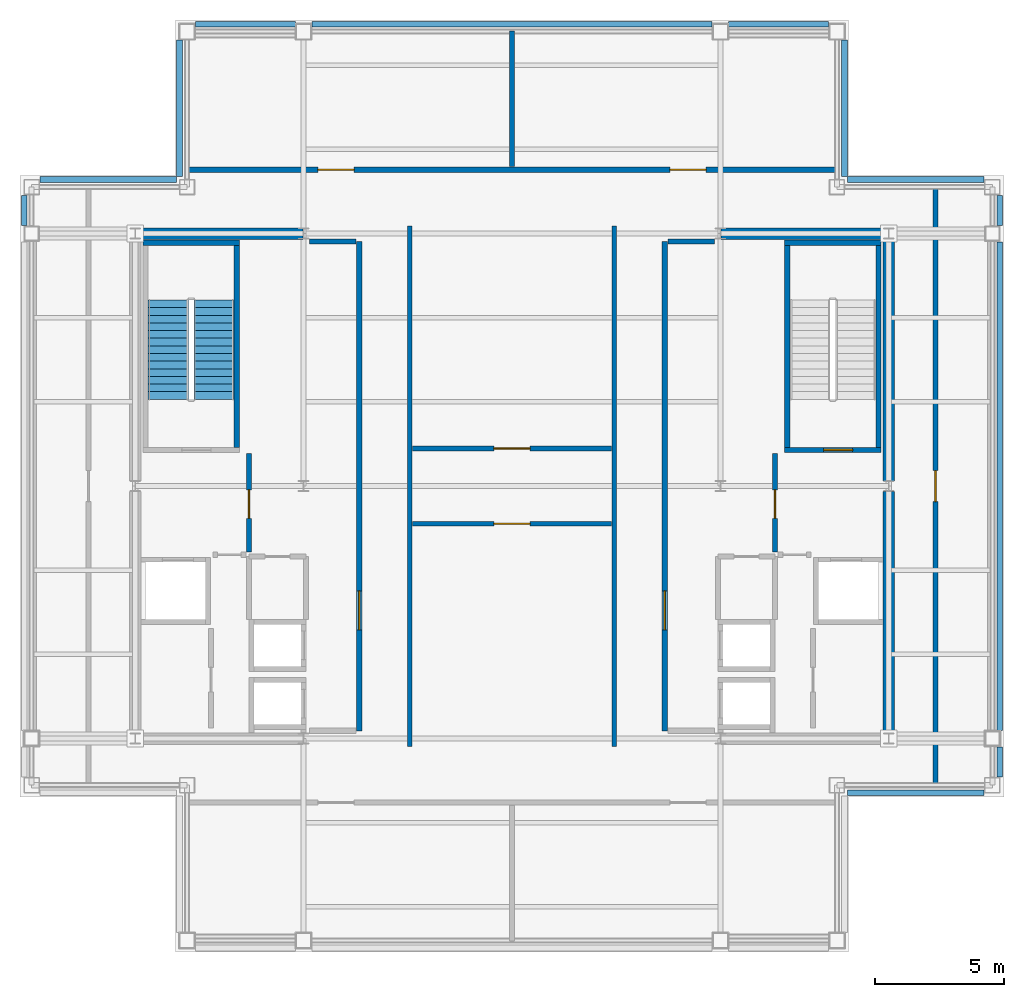
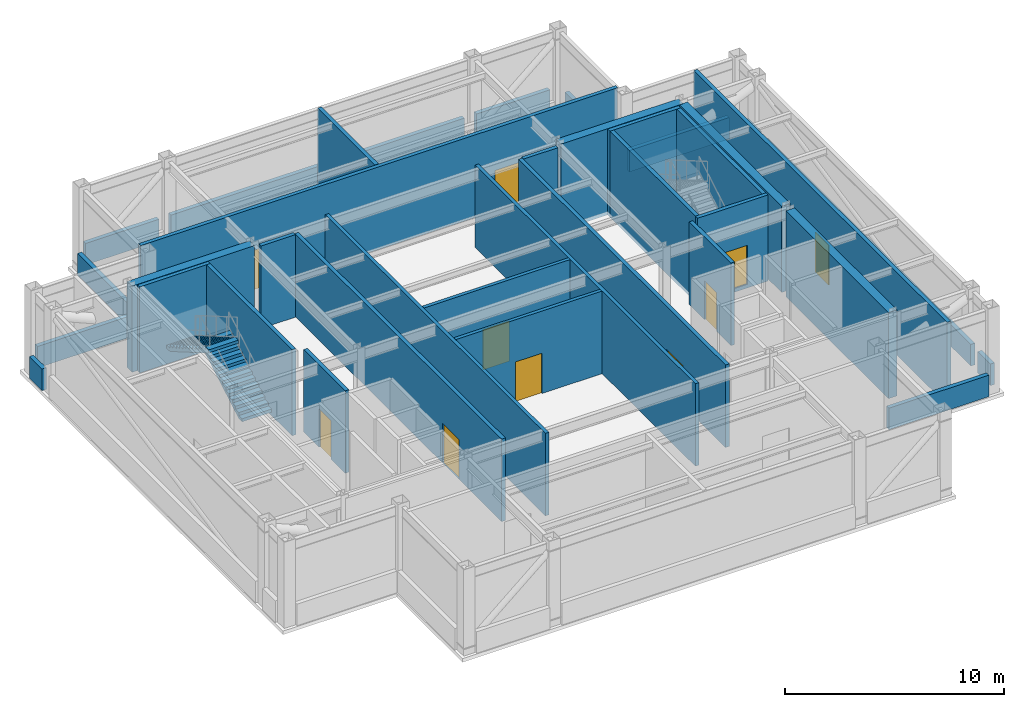
# One storey, part 4 of 6: 35 walls, 10 doors, 2 stair flights, 10 openings, 1 element without a shape of its own.
"""IFC4 building model written with IfcOpenShell, lengths in metres."""

import ifcopenshell
import ifcopenshell.guid

model = None  # the IFC model being written
_history = None  # IfcOwnerHistory: only IFC2X3 demands one
_inside = {}  # id of a spatial element -> (the spatial element, [elements in it])
_under = {}  # id of a project, library or spatial element -> (it, [spatial elements below it])
_declared = {}  # id of a project -> (the project, [libraries it declares])
_typed = {}  # id of a type object -> (the type object, [elements of that type])
_made_of = {}  # id of a material, layer set ... -> (it, [elements and type objects made of it])


def new_model(schema):
    """Start an empty IFC model of exactly this schema.

    Asked for "IFC4X3", IfcOpenShell would pick the latest addendum, in which some entities
    have other attributes; the version numbers below select the first issue.
    IFC2X3 requires an IfcOwnerHistory on every rooted entity: one is made here for all.
    """
    global model, _history
    if schema == "IFC4X3":
        model = ifcopenshell.file(schema_version=(4, 3, 0, 0))
    else:
        model = ifcopenshell.file(schema=schema)
    _inside.clear()
    _under.clear()
    _declared.clear()
    _typed.clear()
    _made_of.clear()
    _history = None
    if model.schema == "IFC2X3":
        org = make("IfcOrganization", Name="unknown")
        user = make(
            "IfcPersonAndOrganization",
            ThePerson=make("IfcPerson", FamilyName="unknown"),
            TheOrganization=org,
        )
        app = make(
            "IfcApplication",
            ApplicationDeveloper=org,
            Version="unknown",
            ApplicationFullName="unknown",
            ApplicationIdentifier="unknown",
        )
        _history = make(
            "IfcOwnerHistory",
            OwningUser=user,
            OwningApplication=app,
            ChangeAction="ADDED",
            CreationDate=0,
        )
    return model


def make(cls, **values):
    """One entity of the class cls with the attributes given. An attribute that is None is left unset."""
    return model.create_entity(
        cls, **{name: value for name, value in values.items() if value is not None}
    )


def rooted(cls, **values):
    """An entity with a GlobalId (a new one), such as an element, a storey or a relation."""
    return make(cls, GlobalId=ifcopenshell.guid.new(), OwnerHistory=_history, **values)


def si_unit(unit_type, name, prefix=None):
    """IfcSIUnit, for example si_unit("LENGTHUNIT", "METRE", prefix="MILLI")."""
    return make("IfcSIUnit", UnitType=unit_type, Prefix=prefix, Name=name)


def assignment(units):
    """IfcUnitAssignment: the units of a project."""
    return None if units is None else make("IfcUnitAssignment", Units=units)


def point(xyz):
    """IfcCartesianPoint."""
    return None if xyz is None else make("IfcCartesianPoint", Coordinates=xyz)


def direction(xyz):
    """IfcDirection."""
    return None if xyz is None else make("IfcDirection", DirectionRatios=xyz)


def frame(location, z_axis=None, x_axis=None):
    """IfcAxis2Placement3D, a coordinate frame: its origin and axes. An axis left out is left unset."""
    return make(
        "IfcAxis2Placement3D",
        Location=point(location),
        Axis=direction(z_axis),
        RefDirection=direction(x_axis),
    )


def frame_2d(location, x_axis=None):
    """IfcAxis2Placement2D, a coordinate frame in the plane: its origin and x axis."""
    return make(
        "IfcAxis2Placement2D", Location=point(location), RefDirection=direction(x_axis)
    )


def origin():
    """The frame at (0, 0, 0) with its axes left unset."""
    return frame((0.0, 0.0, 0.0))


def place(relative_to, where):
    """IfcLocalPlacement: puts the frame where relative to a parent placement (None: the world)."""
    return make(
        "IfcLocalPlacement", PlacementRelTo=relative_to, RelativePlacement=where
    )


def context(
    kind, dimensions, precision=None, world=None, true_north=None, identifier=None
):
    """IfcGeometricRepresentationContext, for example the 3D "Model" context."""
    return make(
        "IfcGeometricRepresentationContext",
        ContextIdentifier=identifier,
        ContextType=kind,
        CoordinateSpaceDimension=dimensions,
        Precision=precision,
        WorldCoordinateSystem=world,
        TrueNorth=true_north,
    )


def subcontext(parent, identifier, kind, view, scale=None):
    """IfcGeometricRepresentationSubContext, for example "Body" below "Model"."""
    return make(
        "IfcGeometricRepresentationSubContext",
        ContextIdentifier=identifier,
        ContextType=kind,
        ParentContext=parent,
        TargetScale=scale,
        TargetView=view,
    )


def project(units=None, contexts=None):
    """IfcProject with its units and contexts."""
    return rooted(
        "IfcProject",
        Name="project",
        RepresentationContexts=contexts,
        UnitsInContext=assignment(units),
    )


def spatial(cls, under=None, at=None, **own):
    """A site, building, storey or space (cls), placed at a placement, below another one or the project."""
    s = rooted(cls, ObjectPlacement=at, **own)
    if under is not None:
        _under.setdefault(under.id(), (under, []))[1].append(s)
    return s


def polyline(points):
    """IfcPolyline through the points."""
    return make("IfcPolyline", Points=[point(p) for p in points])


def profile(cls, at=None, kind="AREA", **sizes):
    """A parametric profile (cls). Its sizes go by their IFC names, for example OverallWidth=200.0."""
    return make(cls, ProfileType=kind, Position=at, **sizes)


def rectangle(**sizes):
    """IfcRectangleProfileDef."""
    return profile("IfcRectangleProfileDef", **sizes)


def outline(outer, holes=None, kind="AREA"):
    """IfcArbitraryClosedProfileDef: a profile drawn as a closed curve; with holes, ...WithVoids."""
    if holes is None:
        return make("IfcArbitraryClosedProfileDef", ProfileType=kind, OuterCurve=outer)
    return make(
        "IfcArbitraryProfileDefWithVoids",
        ProfileType=kind,
        OuterCurve=outer,
        InnerCurves=holes,
    )


def extrude(swept, where, along, depth):
    """IfcExtrudedAreaSolid: the profile swept, set in the frame where, extruded along a direction by depth."""
    return make(
        "IfcExtrudedAreaSolid",
        SweptArea=swept,
        Position=where,
        ExtrudedDirection=direction(along),
        Depth=depth,
    )


def shape(context_of_items, identifier, shape_type, items):
    """IfcShapeRepresentation: the items that make up one representation, for example the "Body"."""
    return make(
        "IfcShapeRepresentation",
        ContextOfItems=context_of_items,
        RepresentationIdentifier=identifier,
        RepresentationType=shape_type,
        Items=items,
    )


def material(Name=None, Category=None):
    """IfcMaterial."""
    return make("IfcMaterial", Name=Name, Category=Category)


def layer(
    of_material, thickness, ventilated=None, Name=None, Category=None, Priority=None
):
    """IfcMaterialLayer: one layer of a wall or slab, of a material (None: an air gap)."""
    return make(
        "IfcMaterialLayer",
        Material=of_material,
        LayerThickness=thickness,
        IsVentilated=ventilated,
        Name=Name,
        Category=Category,
        Priority=Priority,
    )


def layer_set(layers, Name=None):
    """IfcMaterialLayerSet."""
    return make("IfcMaterialLayerSet", MaterialLayers=layers, LayerSetName=Name)


def made_of(thing, what):
    """Note that an element or type object is made of a material, layer set ...; save() writes the relation."""
    if what is not None:
        _made_of.setdefault(what.id(), (what, []))[1].append(thing)
    return thing


def type_object(cls, material=None, **own):
    """A type object (cls), such as IfcWallType, which elements share."""
    return made_of(rooted(cls, **own), material)


def element(
    cls,
    number,
    at=None,
    inside=None,
    cuts=None,
    type_object=None,
    material=None,
    context=None,
    identifier="Body",
    shape_type=None,
    held_by="IfcProductDefinitionShape",
    body=None,
    shapes=None,
    **own,
):
    """One element of the class cls, such as IfcWall. Its Tag is "e" and its number.

    at: its placement. inside: the storey or other place that contains it. cuts: it is an
    opening in that element (IfcRelVoidsElement). A single representation is given by context,
    identifier, shape_type and body (its items); several are given by shapes. held_by: the class
    of the entity that holds the representations. save() writes the other relations.
    """
    e = rooted(cls, Tag="e%d" % number, ObjectPlacement=at, **own)
    if body is not None:
        shapes = [shape(context, identifier, shape_type, body)]
    if shapes is not None:
        e.Representation = make(held_by, Representations=shapes)
    if inside is not None:
        _inside.setdefault(inside.id(), (inside, []))[1].append(e)
    if cuts is not None:
        rooted(
            "IfcRelVoidsElement", RelatingBuildingElement=cuts, RelatedOpeningElement=e
        )
    if type_object is not None:
        _typed.setdefault(type_object.id(), (type_object, []))[1].append(e)
    return made_of(e, material)


def fill(opening, filler):
    """IfcRelFillsElement: the door or window that sits in an opening."""
    return rooted(
        "IfcRelFillsElement",
        RelatingOpeningElement=opening,
        RelatedBuildingElement=filler,
    )


def aggregate(whole, parts):
    """IfcRelAggregates: a whole, such as a stair, and the parts it consists of."""
    return rooted("IfcRelAggregates", RelatingObject=whole, RelatedObjects=parts)


def save(model, path):
    """Write the relations noted so far, then the file.

    IfcRelAggregates (storeys below a building ...), IfcRelContainedInSpatialStructure (elements
    in a storey), IfcRelDefinesByType, IfcRelAssociatesMaterial and IfcRelDeclares: one each for
    every whole, place, type object, material and project.
    """
    for whole, parts in _under.values():
        aggregate(whole, parts)
    for where, things in _inside.values():
        rooted(
            "IfcRelContainedInSpatialStructure",
            RelatedElements=things,
            RelatingStructure=where,
        )
    for kind, things in _typed.values():
        rooted("IfcRelDefinesByType", RelatedObjects=things, RelatingType=kind)
    for what, things in _made_of.values():
        rooted("IfcRelAssociatesMaterial", RelatedObjects=things, RelatingMaterial=what)
    for by, libraries in _declared.values():
        rooted("IfcRelDeclares", RelatingContext=by, RelatedDefinitions=libraries)
    model.write(path)


model = new_model("IFC4")

# Units and contexts
model_context = context("Model", 3, precision=1e-05, world=origin(), true_north=direction((0.0, 1.0)))
body_context = subcontext(model_context, "Body", "Model", "MODEL_VIEW")
ifc_project = project(units=[si_unit("LENGTHUNIT", "METRE"), si_unit("AREAUNIT", "SQUARE_METRE"), si_unit("VOLUMEUNIT", "CUBIC_METRE"), si_unit("PLANEANGLEUNIT", "RADIAN"), si_unit("MASSUNIT", "GRAM", prefix="KILO")], contexts=[model_context])

# Site, building, storey
site_placement = place(None, origin())
site = spatial("IfcSite", under=ifc_project, at=site_placement, CompositionType="ELEMENT")
building_placement = place(site_placement, origin())
building = spatial("IfcBuilding", under=site, at=building_placement, Name="Brelmoor Portico Tower", CompositionType="ELEMENT")
storey_placement = place(building_placement, frame((0.0, 0.0, 276.0)))
storey = spatial("IfcBuildingStorey", under=building, at=storey_placement, Name="L73", CompositionType="ELEMENT", Elevation=276.0)

# Walls
ifc_material_1 = material(Name="Concrete C50", Category="concrete")
ifc_layer_1 = layer(ifc_material_1, 0.449951171875)
ifc_layer_set_1 = layer_set([ifc_layer_1], Name="Concrete C50")
wall_type_1 = type_object("IfcWallType", Name="WL-CORE-450", PredefinedType="SHEAR", material=ifc_layer_set_1)
for number, where, z_axis, x_axis, name in (
    (1, (-14.530029296875, 9.75, -0.199951171875), (0.0, 0.0, 1.0), (1.0, 0.0, 0.0), "L73 WC North Shear Wall"),
    (2, (8.070068359375, 9.75, -0.199951171875), (0.0, 0.0, 1.0), (1.0, 0.0, 0.0), "L73 EC North Shear Wall"),
):
    element("IfcWall", number, at=place(storey_placement, frame(where, z_axis=z_axis, x_axis=x_axis)), inside=storey, type_object=wall_type_1, Name=name, PredefinedType="SHEAR", context=body_context, shape_type="SweptSolid", body=[
        extrude(rectangle(XDim=6.4599609375, YDim=0.449951171875, at=frame_2d((3.22998046875, 0.0))), origin(), (0.0, 0.0, 1.0), 4.800048828125),
    ])
for number, where, z_axis, x_axis, name in (
    (3, (14.550048828125, -9.550048828125, -0.199951171875), (0.0, 0.0, 1.0), (0.0, 1.0, 0.0), "L73 EC Outer South Shear Wall"),
    (4, (14.550048828125, 0.199951171875, -0.199951171875), (0.0, 0.0, 1.0), (0.0, 1.0, 0.0), "L73 EC Outer North Shear Wall"),
):
    element("IfcWall", number, at=place(storey_placement, frame(where, z_axis=z_axis, x_axis=x_axis)), inside=storey, type_object=wall_type_1, Name=name, PredefinedType="SHEAR", context=body_context, shape_type="SweptSolid", body=[
        extrude(rectangle(XDim=9.35009765625, YDim=0.449951171875, at=frame_2d((4.675048828125, 0.0))), origin(), (0.0, 0.0, 1.0), 4.800048828125),
    ])
ifc_material_2 = material(Name="Concrete C40 Parapet Upstand", Category="concrete")
ifc_layer_2 = layer(ifc_material_2, 0.219970703125)
ifc_layer_set_2 = layer_set([ifc_layer_2], Name="Concrete C40 Parapet Upstand")
wall_type_2 = type_object("IfcWallType", Name="WL-PARAPET-220", PredefinedType="PARAPET", material=ifc_layer_set_2)
wall_1_placement = place(storey_placement, frame((12.9599609375, -11.840087890625, 0.0), z_axis=(0.0, 0.0, 1.0), x_axis=(1.0, 0.0, 0.0)))
element("IfcWall", 5, at=wall_1_placement, inside=storey, type_object=wall_type_2, Name="L73 Plant Louvre Perimeter Upstand 05", PredefinedType="PARAPET", context=body_context, shape_type="SweptSolid", body=[
    extrude(rectangle(XDim=5.27001953125, YDim=0.219970703125, at=frame_2d((2.635009765625, 0.0))), origin(), (0.0, 0.0, 1.0), 1.199951171875),
])
wall_2_placement = place(storey_placement, frame((18.840087890625, -11.22998046875, 0.0), z_axis=(0.0, 0.0, 1.0), x_axis=(0.0, 1.0, 0.0)))
element("IfcWall", 6, at=wall_2_placement, inside=storey, type_object=wall_type_2, Name="L73 Plant Louvre Perimeter Upstand 06", PredefinedType="PARAPET", context=body_context, shape_type="SweptSolid", body=[
    extrude(rectangle(XDim=1.159912109375, YDim=0.219970703125, at=frame_2d((0.580078125, 0.0))), origin(), (0.0, 0.0, 1.0), 1.199951171875),
])
wall_3_placement = place(storey_placement, frame((18.840087890625, -9.429931640625, 0.0), z_axis=(0.0, 0.0, 1.0), x_axis=(0.0, 1.0, 0.0)))
element("IfcWall", 7, at=wall_3_placement, inside=storey, type_object=wall_type_2, Name="L73 Plant Louvre Perimeter Upstand 07", PredefinedType="PARAPET", context=body_context, shape_type="SweptSolid", body=[
    extrude(rectangle(XDim=18.85986328125, YDim=0.219970703125, at=frame_2d((9.429931640625, 0.0))), origin(), (0.0, 0.0, 1.0), 1.199951171875),
])
wall_4_placement = place(storey_placement, frame((18.840087890625, 10.070068359375, 0.0), z_axis=(0.0, 0.0, 1.0), x_axis=(0.0, 1.0, 0.0)))
element("IfcWall", 8, at=wall_4_placement, inside=storey, type_object=wall_type_2, Name="L73 Plant Louvre Perimeter Upstand 08", PredefinedType="PARAPET", context=body_context, shape_type="SweptSolid", body=[
    extrude(rectangle(XDim=1.159912109375, YDim=0.219970703125, at=frame_2d((0.580078125, 0.0))), origin(), (0.0, 0.0, 1.0), 1.199951171875),
])
for number, where, z_axis, x_axis, name in (
    (9, (18.22998046875, 11.840087890625, 0.0), (0.0, 0.0, 1.0), (-1.0, 0.0, 0.0), "L73 Plant Louvre Perimeter Upstand 09"),
    (10, (12.840087890625, 11.9599609375, 0.0), (0.0, 0.0, 1.0), (0.0, 1.0, 0.0), "L73 Plant Louvre Perimeter Upstand 10"),
):
    element("IfcWall", number, at=place(storey_placement, frame(where, z_axis=z_axis, x_axis=x_axis)), inside=storey, type_object=wall_type_2, Name=name, PredefinedType="PARAPET", context=body_context, shape_type="SweptSolid", body=[
        extrude(rectangle(XDim=5.27001953125, YDim=0.219970703125, at=frame_2d((2.635009765625, 0.0))), origin(), (0.0, 0.0, 1.0), 1.199951171875),
    ])
wall_5_placement = place(storey_placement, frame((12.22998046875, 17.840087890625, 0.0), z_axis=(0.0, 0.0, 1.0), x_axis=(-1.0, 0.0, 0.0)))
element("IfcWall", 11, at=wall_5_placement, inside=storey, type_object=wall_type_2, Name="L73 Plant Louvre Perimeter Upstand 11", PredefinedType="PARAPET", context=body_context, shape_type="SweptSolid", body=[
    extrude(rectangle(XDim=3.85986328125, YDim=0.219970703125, at=frame_2d((1.929931640625, 0.0))), origin(), (0.0, 0.0, 1.0), 1.199951171875),
])
wall_6_placement = place(storey_placement, frame((7.72998046875, 17.840087890625, 0.0), z_axis=(0.0, 0.0, 1.0), x_axis=(-1.0, 0.0, 0.0)))
element("IfcWall", 12, at=wall_6_placement, inside=storey, type_object=wall_type_2, Name="L73 Plant Louvre Perimeter Upstand 12", PredefinedType="PARAPET", context=body_context, shape_type="SweptSolid", body=[
    extrude(rectangle(XDim=15.4599609375, YDim=0.219970703125, at=frame_2d((7.72998046875, 0.0))), origin(), (0.0, 0.0, 1.0), 1.199951171875),
])
wall_7_placement = place(storey_placement, frame((-8.3701171875, 17.840087890625, 0.0), z_axis=(0.0, 0.0, 1.0), x_axis=(-1.0, 0.0, 0.0)))
element("IfcWall", 13, at=wall_7_placement, inside=storey, type_object=wall_type_2, Name="L73 Plant Louvre Perimeter Upstand 13", PredefinedType="PARAPET", context=body_context, shape_type="SweptSolid", body=[
    extrude(rectangle(XDim=3.85986328125, YDim=0.219970703125, at=frame_2d((1.929931640625, 0.0))), origin(), (0.0, 0.0, 1.0), 1.199951171875),
])
for number, where, z_axis, x_axis, name in (
    (14, (-12.840087890625, 17.22998046875, 0.0), (0.0, 0.0, 1.0), (0.0, -1.0, 0.0), "L73 Plant Louvre Perimeter Upstand 14"),
    (15, (-12.9599609375, 11.840087890625, 0.0), (0.0, 0.0, 1.0), (-1.0, 0.0, 0.0), "L73 Plant Louvre Perimeter Upstand 15"),
):
    element("IfcWall", number, at=place(storey_placement, frame(where, z_axis=z_axis, x_axis=x_axis)), inside=storey, type_object=wall_type_2, Name=name, PredefinedType="PARAPET", context=body_context, shape_type="SweptSolid", body=[
        extrude(rectangle(XDim=5.27001953125, YDim=0.219970703125, at=frame_2d((2.635009765625, 0.0))), origin(), (0.0, 0.0, 1.0), 1.199951171875),
    ])
wall_8_placement = place(storey_placement, frame((-18.840087890625, 11.22998046875, 0.0), z_axis=(0.0, 0.0, 1.0), x_axis=(0.0, -1.0, 0.0)))
element("IfcWall", 16, at=wall_8_placement, inside=storey, type_object=wall_type_2, Name="L73 Plant Louvre Perimeter Upstand 16", PredefinedType="PARAPET", context=body_context, shape_type="SweptSolid", body=[
    extrude(rectangle(XDim=1.159912109375, YDim=0.219970703125, at=frame_2d((0.580078125, 0.0))), origin(), (0.0, 0.0, 1.0), 1.199951171875),
])
ifc_material_3 = material(Name="Acoustic Corridor Fire Partition", Category="gypsum")
ifc_layer_3 = layer(ifc_material_3, 0.179931640625)
ifc_layer_set_3 = layer_set([ifc_layer_3], Name="Acoustic Corridor Fire Partition")
wall_type_3 = type_object("IfcWallType", Name="WL-PART-180", PredefinedType="PARTITIONING", material=ifc_layer_set_3)
for number, where, z_axis, x_axis, name in (
    (17, (-3.949951171875, -10.050048828125, 0.0), (0.0, 0.0, 1.0), (0.0, 1.0, 0.0), "L73 Central Plant West Wall"),
    (18, (3.949951171875, -10.050048828125, 0.0), (0.0, 0.0, 1.0), (0.0, 1.0, 0.0), "L73 Central Plant East Wall"),
):
    element("IfcWall", number, at=place(storey_placement, frame(where, z_axis=z_axis, x_axis=x_axis)), inside=storey, type_object=wall_type_3, Name=name, PredefinedType="PARTITIONING", context=body_context, shape_type="SweptSolid", body=[
        extrude(rectangle(XDim=20.10009765625, YDim=0.179931640625, at=frame_2d((10.050048828125, 0.0))), origin(), (0.0, 0.0, 1.0), 4.60009765625),
    ])

# Wall, opening, door
wall_9_placement = place(storey_placement, frame((-3.85009765625, 1.449951171875, 0.0), z_axis=(0.0, 0.0, 1.0), x_axis=(1.0, 0.0, 0.0)))
wall_9 = element("IfcWall", 19, at=wall_9_placement, inside=storey, type_object=wall_type_3, Name="L73 Central Heat-Exchanger Wall", PredefinedType="PARTITIONING", context=body_context, shape_type="SweptSolid", body=[
    extrude(rectangle(XDim=7.7001953125, YDim=0.179931640625, at=frame_2d((3.85009765625, 0.0))), origin(), (0.0, 0.0, 1.0), 4.60009765625),
])
opening_1_placement = place(wall_9_placement, frame((3.14990234375, 0.0, 0.0)))
opening_1 = element("IfcOpeningElement", 20, at=opening_1_placement, cuts=wall_9, Name="Opening D-PL1", PredefinedType="OPENING", context=body_context, shape_type="SweptSolid", body=[
    extrude(rectangle(XDim=1.39990234375, YDim=2.25, at=frame_2d((0.699951171875, 1.125))), frame((0.0, 0.099853515625, 0.0), z_axis=(0.0, -1.0, 0.0), x_axis=(1.0, 0.0, 0.0)), (0.0, 0.0, 1.0), 0.199951171875),
])
ifc_material_4 = material(Name="Double-Leaf Acoustic Steel Plant Door", Category="steel")
door_type_1 = type_object("IfcDoorType", Name="DR-PLANT-1400", OperationType="NOTDEFINED", PredefinedType="DOOR", material=ifc_material_4)
door_1_placement = place(opening_1_placement, origin())
door_1 = element("IfcDoor", 21, at=door_1_placement, inside=storey, type_object=door_type_1, Name="D-2987 L73 Heat-Exchanger Room Door", OperationType="DOUBLE_DOOR_SINGLE_SWING", OverallHeight=2.25, OverallWidth=1.39990234375, PredefinedType="DOOR", context=body_context, shape_type="SweptSolid", body=[
    extrude(rectangle(XDim=1.39990234375, YDim=2.25, at=frame_2d((0.699951171875, 1.125))), frame((0.0, 0.02490234375, 0.0), z_axis=(0.0, -1.0, 0.0), x_axis=(1.0, 0.0, 0.0)), (0.0, 0.0, 1.0), 0.050048828125),
])
fill(opening_1, door_1)

wall_10_placement = place(storey_placement, frame((-3.85009765625, -1.449951171875, 0.0), z_axis=(0.0, 0.0, 1.0), x_axis=(1.0, 0.0, 0.0)))
wall_10 = element("IfcWall", 22, at=wall_10_placement, inside=storey, type_object=wall_type_3, Name="L73 Central Pump Room Wall", PredefinedType="PARTITIONING", context=body_context, shape_type="SweptSolid", body=[
    extrude(rectangle(XDim=7.7001953125, YDim=0.179931640625, at=frame_2d((3.85009765625, 0.0))), origin(), (0.0, 0.0, 1.0), 4.60009765625),
])
opening_2_placement = place(wall_10_placement, frame((3.14990234375, 0.0, 0.0)))
opening_2 = element("IfcOpeningElement", 23, at=opening_2_placement, cuts=wall_10, Name="Opening D-PL1", PredefinedType="OPENING", context=body_context, shape_type="SweptSolid", body=[
    extrude(rectangle(XDim=1.39990234375, YDim=2.25, at=frame_2d((0.699951171875, 1.125))), frame((0.0, 0.099853515625, 0.0), z_axis=(0.0, -1.0, 0.0), x_axis=(1.0, 0.0, 0.0)), (0.0, 0.0, 1.0), 0.199951171875),
])
door_2_placement = place(opening_2_placement, origin())
door_2 = element("IfcDoor", 24, at=door_2_placement, inside=storey, type_object=door_type_1, Name="D-2988 L73 Transfer Pump Room Door", OperationType="DOUBLE_DOOR_SINGLE_SWING", OverallHeight=2.25, OverallWidth=1.39990234375, PredefinedType="DOOR", context=body_context, shape_type="SweptSolid", body=[
    extrude(rectangle(XDim=1.39990234375, YDim=2.25, at=frame_2d((0.699951171875, 1.125))), frame((0.0, 0.02490234375, 0.0), z_axis=(0.0, -1.0, 0.0), x_axis=(1.0, 0.0, 0.0)), (0.0, 0.0, 1.0), 0.050048828125),
])
fill(opening_2, door_2)

ifc_material_5 = material(Name="Double-Stud Gypsum Fire Partition", Category="gypsum")
ifc_layer_4 = layer(ifc_material_5, 0.199951171875)
ifc_layer_set_4 = layer_set([ifc_layer_4], Name="Double-Stud Gypsum Fire Partition")
wall_type_4 = type_object("IfcWallType", Name="WL-PART-200", PredefinedType="PARTITIONING", material=ifc_layer_set_4)
wall_11_placement = place(storey_placement, frame((-5.89990234375, -9.449951171875, 0.0), z_axis=(0.0, 0.0, 1.0), x_axis=(0.0, 1.0, 0.0)))
wall_11 = element("IfcWall", 25, at=wall_11_placement, inside=storey, type_object=wall_type_4, Name="L73 W Core Lobby Compartment Wall", PredefinedType="PARTITIONING", context=body_context, shape_type="SweptSolid", body=[
    extrude(rectangle(XDim=18.89990234375, YDim=0.199951171875, at=frame_2d((9.449951171875, 0.0))), origin(), (0.0, 0.0, 1.0), 4.60009765625),
])
opening_3_placement = place(wall_11_placement, frame((3.89990234375, 0.0, 0.0)))
opening_3 = element("IfcOpeningElement", 26, at=opening_3_placement, cuts=wall_11, Name="Opening D-LB1", PredefinedType="OPENING", context=body_context, shape_type="SweptSolid", body=[
    extrude(rectangle(XDim=1.5, YDim=2.199951171875, at=frame_2d((0.75, 1.10009765625))), frame((0.0, 0.10986328125, 0.0), z_axis=(0.0, -1.0, 0.0), x_axis=(1.0, 0.0, 0.0)), (0.0, 0.0, 1.0), 0.219970703125),
])
ifc_material_6 = material(Name="Double-Leaf Glazed Steel Fire Door", Category="steel")
door_type_2 = type_object("IfcDoorType", Name="DR-LOBBY-1500", OperationType="NOTDEFINED", PredefinedType="DOOR", material=ifc_material_6)
door_3_placement = place(opening_3_placement, origin())
door_3 = element("IfcDoor", 27, at=door_3_placement, inside=storey, type_object=door_type_2, Name="D-2986 L73 W Lift Lobby Main Door", OperationType="DOUBLE_DOOR_SINGLE_SWING", OverallHeight=2.199951171875, OverallWidth=1.5, PredefinedType="DOOR", context=body_context, shape_type="SweptSolid", body=[
    extrude(rectangle(XDim=1.5, YDim=2.199951171875, at=frame_2d((0.75, 1.10009765625))), frame((0.0, 0.02490234375, 0.0), z_axis=(0.0, -1.0, 0.0), x_axis=(1.0, 0.0, 0.0)), (0.0, 0.0, 1.0), 0.050048828125),
])
fill(opening_3, door_3)

# Wall
wall_12_placement = place(storey_placement, frame((-6.02001953125, 9.449951171875, 0.0), z_axis=(0.0, 0.0, 1.0), x_axis=(-1.0, 0.0, 0.0)))
element("IfcWall", 28, at=wall_12_placement, inside=storey, type_object=wall_type_4, Name="L73 W Lift Lobby North End Wall", PredefinedType="PARTITIONING", context=body_context, shape_type="SweptSolid", body=[
    extrude(rectangle(XDim=1.800048828125, YDim=0.199951171875, at=frame_2d((0.89990234375, 0.0))), origin(), (0.0, 0.0, 1.0), 4.60009765625),
])

# Wall, opening, door
wall_13_placement = place(storey_placement, frame((-10.159912109375, -2.550048828125, 0.0), z_axis=(0.0, 0.0, 1.0), x_axis=(0.0, 1.0, 0.0)))
wall_13 = element("IfcWall", 29, at=wall_13_placement, inside=storey, type_object=wall_type_4, Name="L73 W Firefighting Lobby Wall", PredefinedType="PARTITIONING", context=body_context, shape_type="SweptSolid", body=[
    extrude(rectangle(XDim=3.800048828125, YDim=0.199951171875, at=frame_2d((1.89990234375, 0.0))), origin(), (0.0, 0.0, 1.0), 4.60009765625),
])
opening_4_placement = place(wall_13_placement, frame((1.300048828125, 0.0, 0.0)))
opening_4 = element("IfcOpeningElement", 30, at=opening_4_placement, cuts=wall_13, Name="Opening D-FR1", PredefinedType="OPENING", context=body_context, shape_type="SweptSolid", body=[
    extrude(rectangle(XDim=1.10009765625, YDim=2.14990234375, at=frame_2d((0.550048828125, 1.074951171875))), frame((0.0, 0.10986328125, 0.0), z_axis=(0.0, -1.0, 0.0), x_axis=(1.0, 0.0, 0.0)), (0.0, 0.0, 1.0), 0.219970703125),
])
ifc_material_7 = material(Name="Painted Galvanised Steel Fire Door", Category="steel")
door_type_3 = type_object("IfcDoorType", Name="DR-FIRE-1100", OperationType="NOTDEFINED", PredefinedType="DOOR", material=ifc_material_7)
door_4_placement = place(opening_4_placement, origin())
door_4 = element("IfcDoor", 31, at=door_4_placement, inside=storey, type_object=door_type_3, Name="D-2984 L73 W Firefighting Lobby Door", OperationType="SINGLE_SWING_RIGHT", OverallHeight=2.14990234375, OverallWidth=1.10009765625, PredefinedType="DOOR", context=body_context, shape_type="SweptSolid", body=[
    extrude(rectangle(XDim=1.10009765625, YDim=2.14990234375, at=frame_2d((0.550048828125, 1.074951171875))), frame((0.0, 0.02490234375, 0.0), z_axis=(0.0, -1.0, 0.0), x_axis=(1.0, 0.0, 0.0)), (0.0, 0.0, 1.0), 0.050048828125),
])
fill(opening_4, door_4)

wall_14_placement = place(storey_placement, frame((5.89990234375, -9.449951171875, 0.0), z_axis=(0.0, 0.0, 1.0), x_axis=(0.0, 1.0, 0.0)))
wall_14 = element("IfcWall", 32, at=wall_14_placement, inside=storey, type_object=wall_type_4, Name="L73 E Core Lobby Compartment Wall", PredefinedType="PARTITIONING", context=body_context, shape_type="SweptSolid", body=[
    extrude(rectangle(XDim=18.89990234375, YDim=0.199951171875, at=frame_2d((9.449951171875, 0.0))), origin(), (0.0, 0.0, 1.0), 4.60009765625),
])
opening_5_placement = place(wall_14_placement, frame((3.89990234375, 0.0, 0.0)))
opening_5 = element("IfcOpeningElement", 33, at=opening_5_placement, cuts=wall_14, Name="Opening D-LB1", PredefinedType="OPENING", context=body_context, shape_type="SweptSolid", body=[
    extrude(rectangle(XDim=1.5, YDim=2.199951171875, at=frame_2d((0.75, 1.10009765625))), frame((0.0, 0.10986328125, 0.0), z_axis=(0.0, -1.0, 0.0), x_axis=(1.0, 0.0, 0.0)), (0.0, 0.0, 1.0), 0.219970703125),
])
door_5_placement = place(opening_5_placement, origin())
door_5 = element("IfcDoor", 34, at=door_5_placement, inside=storey, type_object=door_type_2, Name="D-2985 L73 E Lift Lobby Main Door", OperationType="DOUBLE_DOOR_SINGLE_SWING", OverallHeight=2.199951171875, OverallWidth=1.5, PredefinedType="DOOR", context=body_context, shape_type="SweptSolid", body=[
    extrude(rectangle(XDim=1.5, YDim=2.199951171875, at=frame_2d((0.75, 1.10009765625))), frame((0.0, 0.02490234375, 0.0), z_axis=(0.0, -1.0, 0.0), x_axis=(1.0, 0.0, 0.0)), (0.0, 0.0, 1.0), 0.050048828125),
])
fill(opening_5, door_5)

# Wall
wall_15_placement = place(storey_placement, frame((6.02001953125, 9.449951171875, 0.0), z_axis=(0.0, 0.0, 1.0), x_axis=(1.0, 0.0, 0.0)))
element("IfcWall", 35, at=wall_15_placement, inside=storey, type_object=wall_type_4, Name="L73 E Lift Lobby North End Wall", PredefinedType="PARTITIONING", context=body_context, shape_type="SweptSolid", body=[
    extrude(rectangle(XDim=1.800048828125, YDim=0.199951171875, at=frame_2d((0.89990234375, 0.0))), origin(), (0.0, 0.0, 1.0), 4.60009765625),
])

# Wall, opening, door
wall_16_placement = place(storey_placement, frame((10.159912109375, -2.550048828125, 0.0), z_axis=(0.0, 0.0, 1.0), x_axis=(0.0, 1.0, 0.0)))
wall_16 = element("IfcWall", 36, at=wall_16_placement, inside=storey, type_object=wall_type_4, Name="L73 E Firefighting Lobby Wall", PredefinedType="PARTITIONING", context=body_context, shape_type="SweptSolid", body=[
    extrude(rectangle(XDim=3.800048828125, YDim=0.199951171875, at=frame_2d((1.89990234375, 0.0))), origin(), (0.0, 0.0, 1.0), 4.60009765625),
])
opening_6_placement = place(wall_16_placement, frame((1.300048828125, 0.0, 0.0)))
opening_6 = element("IfcOpeningElement", 37, at=opening_6_placement, cuts=wall_16, Name="Opening D-FR1", PredefinedType="OPENING", context=body_context, shape_type="SweptSolid", body=[
    extrude(rectangle(XDim=1.10009765625, YDim=2.14990234375, at=frame_2d((0.550048828125, 1.074951171875))), frame((0.0, 0.10986328125, 0.0), z_axis=(0.0, -1.0, 0.0), x_axis=(1.0, 0.0, 0.0)), (0.0, 0.0, 1.0), 0.219970703125),
])
door_6_placement = place(opening_6_placement, origin())
door_6 = element("IfcDoor", 38, at=door_6_placement, inside=storey, type_object=door_type_3, Name="D-2983 L73 E Firefighting Lobby Door", OperationType="SINGLE_SWING_RIGHT", OverallHeight=2.14990234375, OverallWidth=1.10009765625, PredefinedType="DOOR", context=body_context, shape_type="SweptSolid", body=[
    extrude(rectangle(XDim=1.10009765625, YDim=2.14990234375, at=frame_2d((0.550048828125, 1.074951171875))), frame((0.0, 0.02490234375, 0.0), z_axis=(0.0, -1.0, 0.0), x_axis=(1.0, 0.0, 0.0)), (0.0, 0.0, 1.0), 0.050048828125),
])
fill(opening_6, door_6)

wall_17_placement = place(storey_placement, frame((16.35009765625, -11.570068359375, 0.0), z_axis=(0.0, 0.0, 1.0), x_axis=(0.0, 1.0, 0.0)))
wall_17 = element("IfcWall", 39, at=wall_17_placement, inside=storey, type_object=wall_type_4, Name="L73 Pressurised Refuge Area East Fire Wall", PredefinedType="PARTITIONING", context=body_context, shape_type="SweptSolid", body=[
    extrude(rectangle(XDim=23.14013671875, YDim=0.199951171875, at=frame_2d((11.570068359375, 0.0))), origin(), (0.0, 0.0, 1.0), 4.60009765625),
])
opening_7_placement = place(wall_17_placement, frame((10.969970703125, 0.0, 0.0)))
opening_7 = element("IfcOpeningElement", 40, at=opening_7_placement, cuts=wall_17, Name="Opening D-FR3", PredefinedType="OPENING", context=body_context, shape_type="SweptSolid", body=[
    extrude(rectangle(XDim=1.199951171875, YDim=2.219970703125, at=frame_2d((0.60009765625, 1.10986328125))), frame((0.0, 0.10986328125, 0.0), z_axis=(0.0, -1.0, 0.0), x_axis=(1.0, 0.0, 0.0)), (0.0, 0.0, 1.0), 0.219970703125),
])
door_type_4 = type_object("IfcDoorType", Name="DR-FIRE-1200", OperationType="NOTDEFINED", PredefinedType="DOOR", material=ifc_material_7)
door_7_placement = place(opening_7_placement, origin())
door_7 = element("IfcDoor", 41, at=door_7_placement, inside=storey, type_object=door_type_4, Name="D-2993 L73 Pressurised Refuge Area East Door", OperationType="SINGLE_SWING_LEFT", OverallHeight=2.219970703125, OverallWidth=1.199951171875, PredefinedType="DOOR", context=body_context, shape_type="SweptSolid", body=[
    extrude(rectangle(XDim=1.199951171875, YDim=2.219970703125, at=frame_2d((0.60009765625, 1.10986328125))), frame((0.0, 0.02490234375, 0.0), z_axis=(0.0, -1.0, 0.0), x_axis=(1.0, 0.0, 0.0)), (0.0, 0.0, 1.0), 0.050048828125),
])
fill(opening_7, door_7)

# Wall, openings, doors
wall_18_placement = place(storey_placement, frame((-12.570068359375, 12.219970703125, 0.0), z_axis=(0.0, 0.0, 1.0), x_axis=(1.0, 0.0, 0.0)))
wall_18 = element("IfcWall", 42, at=wall_18_placement, inside=storey, type_object=wall_type_4, Name="L73 North Plant Wall", PredefinedType="PARTITIONING", context=body_context, shape_type="SweptSolid", body=[
    extrude(rectangle(XDim=25.14013671875, YDim=0.199951171875, at=frame_2d((12.570068359375, 0.0))), origin(), (0.0, 0.0, 1.0), 4.60009765625),
])
opening_8_placement = place(wall_18_placement, frame((5.070068359375, 0.0, 0.0)))
opening_8 = element("IfcOpeningElement", 43, at=opening_8_placement, cuts=wall_18, Name="Opening D-PL1", PredefinedType="OPENING", context=body_context, shape_type="SweptSolid", body=[
    extrude(rectangle(XDim=1.39990234375, YDim=2.25, at=frame_2d((0.699951171875, 1.125))), frame((0.0, 0.10986328125, 0.0), z_axis=(0.0, -1.0, 0.0), x_axis=(1.0, 0.0, 0.0)), (0.0, 0.0, 1.0), 0.219970703125),
])
opening_9_placement = place(wall_18_placement, frame((18.669921875, 0.0, 0.0)))
opening_9 = element("IfcOpeningElement", 44, at=opening_9_placement, cuts=wall_18, Name="Opening D-PL1", PredefinedType="OPENING", context=body_context, shape_type="SweptSolid", body=[
    extrude(rectangle(XDim=1.39990234375, YDim=2.25, at=frame_2d((0.699951171875, 1.125))), frame((0.0, 0.10986328125, 0.0), z_axis=(0.0, -1.0, 0.0), x_axis=(1.0, 0.0, 0.0)), (0.0, 0.0, 1.0), 0.219970703125),
])
door_8_placement = place(opening_8_placement, origin())
door_8 = element("IfcDoor", 45, at=door_8_placement, inside=storey, type_object=door_type_1, Name="D-2990 L73 Chiller Plant Door", OperationType="DOUBLE_DOOR_SINGLE_SWING", OverallHeight=2.25, OverallWidth=1.39990234375, PredefinedType="DOOR", context=body_context, shape_type="SweptSolid", body=[
    extrude(rectangle(XDim=1.39990234375, YDim=2.25, at=frame_2d((0.699951171875, 1.125))), frame((0.0, 0.02490234375, 0.0), z_axis=(0.0, -1.0, 0.0), x_axis=(1.0, 0.0, 0.0)), (0.0, 0.0, 1.0), 0.050048828125),
])
fill(opening_8, door_8)
door_9_placement = place(opening_9_placement, origin())
door_9 = element("IfcDoor", 46, at=door_9_placement, inside=storey, type_object=door_type_1, Name="D-2989 L73 Primary AHU Plant Door", OperationType="DOUBLE_DOOR_SINGLE_SWING", OverallHeight=2.25, OverallWidth=1.39990234375, PredefinedType="DOOR", context=body_context, shape_type="SweptSolid", body=[
    extrude(rectangle(XDim=1.39990234375, YDim=2.25, at=frame_2d((0.699951171875, 1.125))), frame((0.0, 0.02490234375, 0.0), z_axis=(0.0, -1.0, 0.0), x_axis=(1.0, 0.0, 0.0)), (0.0, 0.0, 1.0), 0.050048828125),
])
fill(opening_9, door_9)

# Walls
wall_19_placement = place(storey_placement, frame((0.0, 12.340087890625, 0.0), z_axis=(0.0, 0.0, 1.0), x_axis=(0.0, 1.0, 0.0)))
element("IfcWall", 47, at=wall_19_placement, inside=storey, type_object=wall_type_4, Name="L73 North Plant Divider", PredefinedType="PARTITIONING", context=body_context, shape_type="SweptSolid", body=[
    extrude(rectangle(XDim=5.22998046875, YDim=0.199951171875, at=frame_2d((2.614990234375, 0.0))), origin(), (0.0, 0.0, 1.0), 4.60009765625),
])
ifc_material_8 = material(Name="Concrete C40", Category="concrete")
ifc_layer_5 = layer(ifc_material_8, 0.199951171875)
ifc_layer_set_5 = layer_set([ifc_layer_5], Name="Concrete C40")
wall_type_5 = type_object("IfcWallType", Name="WL-SHAFT-RC200", PredefinedType="SOLIDWALL", material=ifc_layer_set_5)
wall_20_placement = place(storey_placement, frame((14.14990234375, 1.5, -0.199951171875), z_axis=(0.0, 0.0, 1.0), x_axis=(0.0, 1.0, 0.0)))
element("IfcWall", 48, at=wall_20_placement, inside=storey, type_object=wall_type_5, Name="L73 ST-E Structural Stair Wall Outer", PredefinedType="SOLIDWALL", context=body_context, shape_type="SweptSolid", body=[
    extrude(rectangle(XDim=7.800048828125, YDim=0.199951171875, at=frame_2d((3.89990234375, 0.0))), origin(), (0.0, 0.0, 1.0), 4.800048828125),
])
wall_21_placement = place(storey_placement, frame((-14.25, 9.39990234375, -0.199951171875), z_axis=(0.0, 0.0, 1.0), x_axis=(1.0, 0.0, 0.0)))
element("IfcWall", 49, at=wall_21_placement, inside=storey, type_object=wall_type_5, Name="L73 ST-W Structural Stair Wall N", PredefinedType="SOLIDWALL", context=body_context, shape_type="SweptSolid", body=[
    extrude(rectangle(XDim=3.719970703125, YDim=0.199951171875, at=frame_2d((1.85986328125, 0.0))), origin(), (0.0, 0.0, 1.0), 4.800048828125),
])
wall_22_placement = place(storey_placement, frame((-10.6298828125, 1.5, -0.199951171875), z_axis=(0.0, 0.0, 1.0), x_axis=(0.0, 1.0, 0.0)))
element("IfcWall", 50, at=wall_22_placement, inside=storey, type_object=wall_type_5, Name="L73 ST-W Structural Stair Wall Inner", PredefinedType="SOLIDWALL", context=body_context, shape_type="SweptSolid", body=[
    extrude(rectangle(XDim=7.800048828125, YDim=0.199951171875, at=frame_2d((3.89990234375, 0.0))), origin(), (0.0, 0.0, 1.0), 4.800048828125),
])

# Wall, opening, door
wall_23_placement = place(storey_placement, frame((10.530029296875, 1.39990234375, -0.199951171875), z_axis=(0.0, 0.0, 1.0), x_axis=(1.0, 0.0, 0.0)))
wall_23 = element("IfcWall", 51, at=wall_23_placement, inside=storey, type_object=wall_type_5, Name="L73 ST-E Structural Stair Wall S", PredefinedType="SOLIDWALL", context=body_context, shape_type="SweptSolid", body=[
    extrude(rectangle(XDim=3.719970703125, YDim=0.199951171875, at=frame_2d((1.85986328125, 0.0))), origin(), (0.0, 0.0, 1.0), 4.800048828125),
])
opening_10_placement = place(wall_23_placement, frame((1.5, 0.0, 0.199951171875)))
opening_10 = element("IfcOpeningElement", 52, at=opening_10_placement, cuts=wall_23, Name="Opening D-ST1", PredefinedType="OPENING", context=body_context, shape_type="SweptSolid", body=[
    extrude(rectangle(XDim=1.1201171875, YDim=2.179931640625, at=frame_2d((0.56005859375, 1.08984375))), frame((0.0, 0.10986328125, 0.0), z_axis=(0.0, -1.0, 0.0), x_axis=(1.0, 0.0, 0.0)), (0.0, 0.0, 1.0), 0.219970703125),
])
door_type_5 = type_object("IfcDoorType", Name="DR-STAIR-1100", OperationType="NOTDEFINED", PredefinedType="DOOR", material=ifc_material_7)
door_10_placement = place(opening_10_placement, origin())
door_10 = element("IfcDoor", 53, at=door_10_placement, inside=storey, type_object=door_type_5, Name="D-2995 L73 ST-E Protected Exit Stair Door", OperationType="SINGLE_SWING_RIGHT", OverallHeight=2.179931640625, OverallWidth=1.1201171875, PredefinedType="DOOR", context=body_context, shape_type="SweptSolid", body=[
    extrude(rectangle(XDim=1.1201171875, YDim=2.179931640625, at=frame_2d((0.56005859375, 1.08984375))), frame((0.0, 0.02490234375, 0.0), z_axis=(0.0, -1.0, 0.0), x_axis=(1.0, 0.0, 0.0)), (0.0, 0.0, 1.0), 0.050048828125),
])
fill(opening_10, door_10)

# Walls
wall_24_placement = place(storey_placement, frame((10.530029296875, 9.39990234375, -0.199951171875), z_axis=(0.0, 0.0, 1.0), x_axis=(1.0, 0.0, 0.0)))
element("IfcWall", 54, at=wall_24_placement, inside=storey, type_object=wall_type_5, Name="L73 ST-E Structural Stair Wall N", PredefinedType="SOLIDWALL", context=body_context, shape_type="SweptSolid", body=[
    extrude(rectangle(XDim=3.719970703125, YDim=0.199951171875, at=frame_2d((1.85986328125, 0.0))), origin(), (0.0, 0.0, 1.0), 4.800048828125),
])
wall_25_placement = place(storey_placement, frame((10.6298828125, 1.5, -0.199951171875), z_axis=(0.0, 0.0, 1.0), x_axis=(0.0, 1.0, 0.0)))
element("IfcWall", 55, at=wall_25_placement, inside=storey, type_object=wall_type_5, Name="L73 ST-E Structural Stair Wall Inner", PredefinedType="SOLIDWALL", context=body_context, shape_type="SweptSolid", body=[
    extrude(rectangle(XDim=7.800048828125, YDim=0.199951171875, at=frame_2d((3.89990234375, 0.0))), origin(), (0.0, 0.0, 1.0), 4.800048828125),
])

# Stair, stair flights
stair_type = type_object("IfcStairType", Name="ST-CORE-W", PredefinedType="HALF_TURN_STAIR", material=ifc_material_8)
stair_placement = place(storey_placement, origin())
stair = element("IfcStair", 56, at=stair_placement, inside=storey, type_object=stair_type, Name="L73 Protected Core Exit Stair ST-W", PredefinedType="HALF_TURN_STAIR")
stair_flight_type = type_object("IfcStairFlightType", Name="SF-CORE-1850", PredefinedType="STRAIGHT", material=ifc_material_8)
stair_flight_1_placement = place(storey_placement, frame((-11.510009765625, 3.35009765625, 0.0), z_axis=(0.0, 0.0, 1.0), x_axis=(0.0, 1.0, 0.0)))
stair_flight_1 = element("IfcStairFlight", 57, at=stair_flight_1_placement, type_object=stair_flight_type, Name="ST-W flight 1", NumberOfRisers=14, NumberOfTreads=13, PredefinedType="STRAIGHT", RiserHeight=0.171428571, TreadLength=0.295, context=body_context, shape_type="SweptSolid", body=[
    extrude(outline(polyline([(0.0, 0.0), (0.0, 0.17138671875), (0.294921875, 0.17138671875), (0.294921875, 0.3427734375), (0.590087890625, 0.3427734375), (0.590087890625, 0.514404296875), (0.885009765625, 0.514404296875), (0.885009765625, 0.685791015625), (1.179931640625, 0.685791015625), (1.179931640625, 0.857177734375), (1.47509765625, 0.857177734375), (1.47509765625, 1.028564453125), (1.77001953125, 1.028564453125), (1.77001953125, 1.199951171875), (2.06494140625, 1.199951171875), (2.06494140625, 1.371337890625), (2.360107421875, 1.371337890625), (2.360107421875, 1.54296875), (2.655029296875, 1.54296875), (2.655029296875, 1.71435546875), (2.949951171875, 1.71435546875), (2.949951171875, 1.8857421875), (3.2451171875, 1.8857421875), (3.2451171875, 2.05712890625), (3.5400390625, 2.05712890625), (3.5400390625, 2.228515625), (3.8349609375, 2.228515625), (3.8349609375, 2.39990234375), (3.8349609375, 2.05517578125), (0.29833984375, 0.0), (0.0, 0.0)])), frame((0.0, 0.780029296875, 0.0), z_axis=(0.0, -1.0, 0.0), x_axis=(1.0, 0.0, 0.0)), (0.0, 0.0, 1.0), 1.56005859375),
])
stair_flight_2_placement = place(storey_placement, frame((-13.27001953125, 7.18505859375, 2.39990234375), z_axis=(0.0, 0.0, 1.0), x_axis=(0.0, -1.0, 0.0)))
stair_flight_2 = element("IfcStairFlight", 58, at=stair_flight_2_placement, type_object=stair_flight_type, Name="ST-W flight 2", NumberOfRisers=14, NumberOfTreads=13, PredefinedType="STRAIGHT", RiserHeight=0.171428571, TreadLength=0.295, context=body_context, shape_type="SweptSolid", body=[
    extrude(outline(polyline([(0.0, 0.0), (0.0, 0.17138671875), (0.294921875, 0.17138671875), (0.294921875, 0.3427734375), (0.590087890625, 0.3427734375), (0.590087890625, 0.514404296875), (0.885009765625, 0.514404296875), (0.885009765625, 0.685791015625), (1.179931640625, 0.685791015625), (1.179931640625, 0.857177734375), (1.47509765625, 0.857177734375), (1.47509765625, 1.028564453125), (1.77001953125, 1.028564453125), (1.77001953125, 1.199951171875), (2.06494140625, 1.199951171875), (2.06494140625, 1.371337890625), (2.360107421875, 1.371337890625), (2.360107421875, 1.54296875), (2.655029296875, 1.54296875), (2.655029296875, 1.71435546875), (2.949951171875, 1.71435546875), (2.949951171875, 1.8857421875), (3.2451171875, 1.8857421875), (3.2451171875, 2.05712890625), (3.5400390625, 2.05712890625), (3.5400390625, 2.228515625), (3.8349609375, 2.228515625), (3.8349609375, 2.39990234375), (3.8349609375, 2.05517578125), (0.29833984375, 0.0), (0.0, 0.0)])), frame((0.0, 0.780029296875, 0.0), z_axis=(0.0, -1.0, 0.0), x_axis=(1.0, 0.0, 0.0)), (0.0, 0.0, 1.0), 1.56005859375),
])
aggregate(stair, [stair_flight_1, stair_flight_2])

save(model, "model.ifc")
